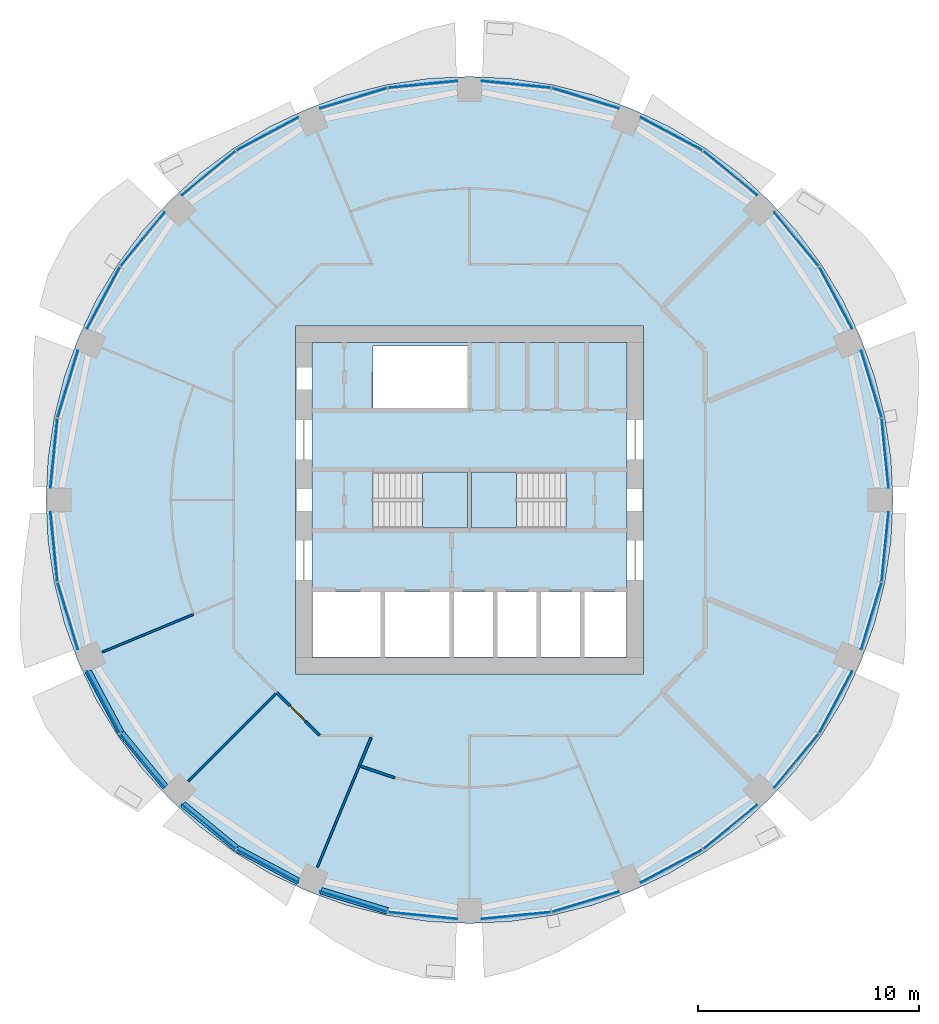
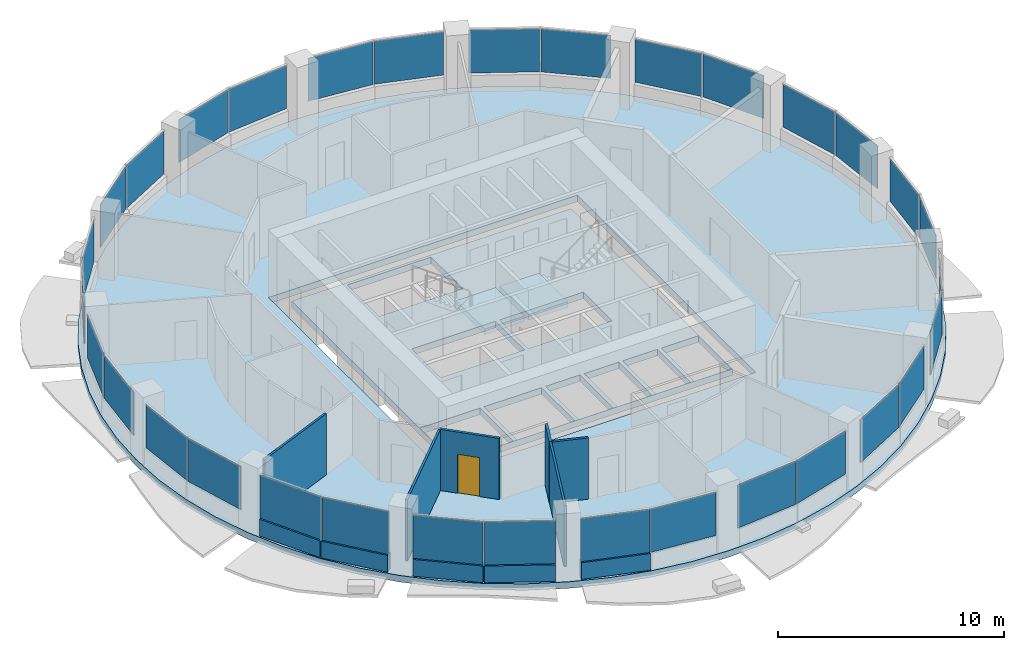
# One storey, part 6 of 14: 32 plates, 11 walls, 4 slabs, 1 door, 1 opening, 18 elements without a shape of their own.
"""IFC4 building model written with IfcOpenShell, lengths in metres."""

from ifc_helpers import new_model, si_unit, direction, frame, frame_2d, origin, origin_2d, place, context, subcontext, project, spatial, polyline, rectangle, outline, extrude, material, layer, layer_set, type_object, element, fill, aggregate, save


model = new_model("IFC4")

# Units and contexts
model_context = context("Model", 3, precision=1e-05, world=origin(), true_north=direction((0.0, 1.0)))
body_context = subcontext(model_context, "Body", "Model", "MODEL_VIEW")
ifc_project = project(units=[si_unit("LENGTHUNIT", "METRE"), si_unit("AREAUNIT", "SQUARE_METRE"), si_unit("VOLUMEUNIT", "CUBIC_METRE"), si_unit("PLANEANGLEUNIT", "RADIAN"), si_unit("MASSUNIT", "GRAM", prefix="KILO")], contexts=[model_context])

# Site, building, storey
site_placement = place(None, origin())
site = spatial("IfcSite", under=ifc_project, at=site_placement, CompositionType="ELEMENT")
building_placement = place(site_placement, origin())
building = spatial("IfcBuilding", under=site, at=building_placement, Name="Polderwave Tower", CompositionType="ELEMENT")
storey_placement = place(building_placement, frame((0.0, 0.0, 112.89990234375)))
storey = spatial("IfcBuildingStorey", under=building, at=storey_placement, Name="L29", CompositionType="ELEMENT", Elevation=112.89990234375)

# Slab
ifc_material_1 = material(Name="Concrete C40/50", Category="concrete")
ifc_layer_1 = layer(ifc_material_1, 0.35009765625)
ifc_layer_set_1 = layer_set([ifc_layer_1], Name="Core floor slab 350")
slab_type_1 = type_object("IfcSlabType", Name="Core floor slab 350", PredefinedType="FLOOR", material=ifc_layer_set_1)
slab_1_placement = place(storey_placement, frame((0.0, 0.0, -0.349853515625)))
element("IfcSlab", 1, at=slab_1_placement, inside=storey, type_object=slab_type_1, Name="L29 core floor", PredefinedType="FLOOR", context=body_context, shape_type="SweptSolid", body=[
    extrude(outline(polyline([(-7.1240234375, -7.1240234375), (7.1240234375, -7.1240234375), (7.1240234375, 7.1240234375), (-7.1240234375, 7.1240234375), (-7.1240234375, -7.1240234375)]), holes=[polyline([(-7.10400390625, -7.10400390625), (-4.037109375, -7.10400390625), (-4.037109375, -4.174072265625), (-7.10400390625, -4.174072265625), (-7.10400390625, -7.10400390625)]), polyline([(-3.8369140625, -7.10400390625), (-0.89990234375, -7.10400390625), (-0.89990234375, -4.174072265625), (-3.8369140625, -4.174072265625), (-3.8369140625, -7.10400390625)]), polyline([(-0.699951171875, -7.10400390625), (1.068603515625, -7.10400390625), (1.068603515625, -4.174072265625), (-0.699951171875, -4.174072265625), (-0.699951171875, -7.10400390625)]), polyline([(1.2685546875, -7.10400390625), (3.037109375, -7.10400390625), (3.037109375, -4.174072265625), (1.2685546875, -4.174072265625), (1.2685546875, -7.10400390625)]), polyline([(3.237060546875, -7.10400390625), (5.005615234375, -7.10400390625), (5.005615234375, -4.174072265625), (3.237060546875, -4.174072265625), (3.237060546875, -7.10400390625)]), polyline([(5.20556640625, -7.10400390625), (7.10400390625, -7.10400390625), (7.10400390625, -4.174072265625), (5.20556640625, -4.174072265625), (5.20556640625, -7.10400390625)]), polyline([(-4.37353515625, -1.2744140625), (-0.1005859375, -1.2744140625), (-0.1005859375, 1.2744140625), (-4.37353515625, 1.2744140625), (-4.37353515625, -1.2744140625)]), polyline([(0.1005859375, -1.2744140625), (4.37353515625, -1.2744140625), (4.37353515625, 1.2744140625), (0.1005859375, 1.2744140625), (0.1005859375, -1.2744140625)]), polyline([(-4.37353515625, 4.174560546875), (-0.1005859375, 4.174560546875), (-0.1005859375, 6.973388671875), (-4.37353515625, 6.973388671875), (-4.37353515625, 4.174560546875)])]), origin(), (0.0, 0.0, 1.0), 0.349853515625),
])

# Curtain wall, plates
ifc_material_2 = material(Name="Aluminium 6063-T6 and glass", Category="aluminium")
curtain_wall_type = type_object("IfcCurtainWallType", Name="Growing floor ribbon glazing wall", PredefinedType="NOTDEFINED", material=ifc_material_2)
curtain_wall_1_placement = place(storey_placement, origin())
curtain_wall_1 = element("IfcCurtainWall", 2, at=curtain_wall_1_placement, inside=storey, type_object=curtain_wall_type, Name="CW2 L29 00", PredefinedType="NOTDEFINED")
ifc_material_3 = material(Name="Glass, low-e laminated double glazing", Category="glass")
ifc_layer_2 = layer(ifc_material_3, 0.028076171875)
ifc_layer_set_2 = layer_set([ifc_layer_2], Name="Growing floor ribbon glazing glass panel 28 mm")
plate_type = type_object("IfcPlateType", Name="Growing floor ribbon glazing glass panel 28 mm", PredefinedType="CURTAIN_PANEL", material=ifc_layer_set_2)
plate_1_placement = place(storey_placement, frame((18.821533203125, 2.11669921875, 0.89990234375), z_axis=(0.0, 0.0, 1.0), x_axis=(-0.098164777877, 0.995170174585, 0.0)))
plate_1 = element("IfcPlate", 3, at=plate_1_placement, type_object=plate_type, Name="CW2 panel 1", PredefinedType="CURTAIN_PANEL", context=body_context, shape_type="SweptSolid", body=[
    extrude(rectangle(XDim=3.1484375, YDim=0.028076171875, at=origin_2d()), origin(), (0.0, 0.0, 1.0), 2.320068359375),
])
plate_2_placement = place(storey_placement, frame((18.198486328125, 5.247802734375, 0.89990234375), z_axis=(0.0, 0.0, 1.0), x_axis=(-0.290147719853, 0.956981870604, 0.0)))
plate_2 = element("IfcPlate", 4, at=plate_2_placement, type_object=plate_type, Name="CW2 panel 2", PredefinedType="CURTAIN_PANEL", context=body_context, shape_type="SweptSolid", body=[
    extrude(rectangle(XDim=3.147705078125, YDim=0.028076171875, at=origin_2d()), origin(), (0.0, 0.0, 1.0), 2.320068359375),
])
aggregate(curtain_wall_1, [plate_1, plate_2])

curtain_wall_2_placement = place(storey_placement, origin())
curtain_wall_2 = element("IfcCurtainWall", 5, at=curtain_wall_2_placement, inside=storey, type_object=curtain_wall_type, Name="CW2 L29 01", PredefinedType="NOTDEFINED")
plate_3_placement = place(storey_placement, frame((16.5791015625, 9.158203125, 0.89990234375), z_axis=(0.0, 0.0, 1.0), x_axis=(-0.471339783853, 0.881951703982, 0.0)))
plate_3 = element("IfcPlate", 6, at=plate_3_placement, type_object=plate_type, Name="CW2 panel 1", PredefinedType="CURTAIN_PANEL", context=body_context, shape_type="SweptSolid", body=[
    extrude(rectangle(XDim=3.148193359375, YDim=0.028076171875, at=origin_2d()), origin(), (0.0, 0.0, 1.0), 2.320068359375),
])
plate_4_placement = place(storey_placement, frame((14.805419921875, 11.8125, 0.89990234375), z_axis=(0.0, 0.0, 1.0), x_axis=(-0.634471532063, 0.772946230343, 0.0)))
plate_4 = element("IfcPlate", 7, at=plate_4_placement, type_object=plate_type, Name="CW2 panel 2", PredefinedType="CURTAIN_PANEL", context=body_context, shape_type="SweptSolid", body=[
    extrude(rectangle(XDim=3.1474609375, YDim=0.028076171875, at=origin_2d()), origin(), (0.0, 0.0, 1.0), 2.320068359375),
])
aggregate(curtain_wall_2, [plate_3, plate_4])

curtain_wall_3_placement = place(storey_placement, origin())
curtain_wall_3 = element("IfcCurtainWall", 8, at=curtain_wall_3_placement, inside=storey, type_object=curtain_wall_type, Name="CW2 L29 02", PredefinedType="NOTDEFINED")
plate_5_placement = place(storey_placement, frame((11.8125, 14.805419921875, 0.89990234375), z_axis=(0.0, 0.0, 1.0), x_axis=(-0.772946230343, 0.634471532063, 0.0)))
plate_5 = element("IfcPlate", 9, at=plate_5_placement, type_object=plate_type, Name="CW2 panel 1", PredefinedType="CURTAIN_PANEL", context=body_context, shape_type="SweptSolid", body=[
    extrude(rectangle(XDim=3.1474609375, YDim=0.028076171875, at=origin_2d()), origin(), (0.0, 0.0, 1.0), 2.320068359375),
])
plate_6_placement = place(storey_placement, frame((9.158203125, 16.5791015625, 0.89990234375), z_axis=(0.0, 0.0, 1.0), x_axis=(-0.881951703982, 0.471339783853, 0.0)))
plate_6 = element("IfcPlate", 10, at=plate_6_placement, type_object=plate_type, Name="CW2 panel 2", PredefinedType="CURTAIN_PANEL", context=body_context, shape_type="SweptSolid", body=[
    extrude(rectangle(XDim=3.148193359375, YDim=0.028076171875, at=origin_2d()), origin(), (0.0, 0.0, 1.0), 2.320068359375),
])
aggregate(curtain_wall_3, [plate_5, plate_6])

curtain_wall_4_placement = place(storey_placement, origin())
curtain_wall_4 = element("IfcCurtainWall", 11, at=curtain_wall_4_placement, inside=storey, type_object=curtain_wall_type, Name="CW2 L29 03", PredefinedType="NOTDEFINED")
plate_7_placement = place(storey_placement, frame((5.247802734375, 18.198486328125, 0.89990234375), z_axis=(0.0, 0.0, 1.0), x_axis=(-0.956981870604, 0.290147719853, 0.0)))
plate_7 = element("IfcPlate", 12, at=plate_7_placement, type_object=plate_type, Name="CW2 panel 1", PredefinedType="CURTAIN_PANEL", context=body_context, shape_type="SweptSolid", body=[
    extrude(rectangle(XDim=3.147705078125, YDim=0.028076171875, at=origin_2d()), origin(), (0.0, 0.0, 1.0), 2.320068359375),
])
plate_8_placement = place(storey_placement, frame((2.11669921875, 18.821533203125, 0.89990234375), z_axis=(0.0, 0.0, 1.0), x_axis=(-0.995170174585, 0.098164777877, 0.0)))
plate_8 = element("IfcPlate", 13, at=plate_8_placement, type_object=plate_type, Name="CW2 panel 2", PredefinedType="CURTAIN_PANEL", context=body_context, shape_type="SweptSolid", body=[
    extrude(rectangle(XDim=3.1484375, YDim=0.028076171875, at=origin_2d()), origin(), (0.0, 0.0, 1.0), 2.320068359375),
])
aggregate(curtain_wall_4, [plate_7, plate_8])

curtain_wall_5_placement = place(storey_placement, origin())
curtain_wall_5 = element("IfcCurtainWall", 14, at=curtain_wall_5_placement, inside=storey, type_object=curtain_wall_type, Name="CW2 L29 04", PredefinedType="NOTDEFINED")
plate_9_placement = place(storey_placement, frame((-2.11669921875, 18.821533203125, 0.89990234375), z_axis=(0.0, 0.0, 1.0), x_axis=(-0.995170174585, -0.098164777877, 0.0)))
plate_9 = element("IfcPlate", 15, at=plate_9_placement, type_object=plate_type, Name="CW2 panel 1", PredefinedType="CURTAIN_PANEL", context=body_context, shape_type="SweptSolid", body=[
    extrude(rectangle(XDim=3.1484375, YDim=0.028076171875, at=origin_2d()), origin(), (0.0, 0.0, 1.0), 2.320068359375),
])
plate_10_placement = place(storey_placement, frame((-5.247802734375, 18.198486328125, 0.89990234375), z_axis=(0.0, 0.0, 1.0), x_axis=(-0.956981870604, -0.290147719853, 0.0)))
plate_10 = element("IfcPlate", 16, at=plate_10_placement, type_object=plate_type, Name="CW2 panel 2", PredefinedType="CURTAIN_PANEL", context=body_context, shape_type="SweptSolid", body=[
    extrude(rectangle(XDim=3.147705078125, YDim=0.028076171875, at=origin_2d()), origin(), (0.0, 0.0, 1.0), 2.320068359375),
])
aggregate(curtain_wall_5, [plate_9, plate_10])

curtain_wall_6_placement = place(storey_placement, origin())
curtain_wall_6 = element("IfcCurtainWall", 17, at=curtain_wall_6_placement, inside=storey, type_object=curtain_wall_type, Name="CW2 L29 05", PredefinedType="NOTDEFINED")
plate_11_placement = place(storey_placement, frame((-9.158203125, 16.5791015625, 0.89990234375), z_axis=(0.0, 0.0, 1.0), x_axis=(-0.881951703982, -0.471339783853, 0.0)))
plate_11 = element("IfcPlate", 18, at=plate_11_placement, type_object=plate_type, Name="CW2 panel 1", PredefinedType="CURTAIN_PANEL", context=body_context, shape_type="SweptSolid", body=[
    extrude(rectangle(XDim=3.148193359375, YDim=0.028076171875, at=origin_2d()), origin(), (0.0, 0.0, 1.0), 2.320068359375),
])
plate_12_placement = place(storey_placement, frame((-11.8125, 14.805419921875, 0.89990234375), z_axis=(0.0, 0.0, 1.0), x_axis=(-0.772946230343, -0.634471532063, 0.0)))
plate_12 = element("IfcPlate", 19, at=plate_12_placement, type_object=plate_type, Name="CW2 panel 2", PredefinedType="CURTAIN_PANEL", context=body_context, shape_type="SweptSolid", body=[
    extrude(rectangle(XDim=3.1474609375, YDim=0.028076171875, at=origin_2d()), origin(), (0.0, 0.0, 1.0), 2.320068359375),
])
aggregate(curtain_wall_6, [plate_11, plate_12])

curtain_wall_7_placement = place(storey_placement, origin())
curtain_wall_7 = element("IfcCurtainWall", 20, at=curtain_wall_7_placement, inside=storey, type_object=curtain_wall_type, Name="CW2 L29 06", PredefinedType="NOTDEFINED")
plate_13_placement = place(storey_placement, frame((-14.805419921875, 11.8125, 0.89990234375), z_axis=(0.0, 0.0, 1.0), x_axis=(-0.634471532063, -0.772946230343, 0.0)))
plate_13 = element("IfcPlate", 21, at=plate_13_placement, type_object=plate_type, Name="CW2 panel 1", PredefinedType="CURTAIN_PANEL", context=body_context, shape_type="SweptSolid", body=[
    extrude(rectangle(XDim=3.1474609375, YDim=0.028076171875, at=origin_2d()), origin(), (0.0, 0.0, 1.0), 2.320068359375),
])
plate_14_placement = place(storey_placement, frame((-16.5791015625, 9.158203125, 0.89990234375), z_axis=(0.0, 0.0, 1.0), x_axis=(-0.471339783853, -0.881951703982, 0.0)))
plate_14 = element("IfcPlate", 22, at=plate_14_placement, type_object=plate_type, Name="CW2 panel 2", PredefinedType="CURTAIN_PANEL", context=body_context, shape_type="SweptSolid", body=[
    extrude(rectangle(XDim=3.148193359375, YDim=0.028076171875, at=origin_2d()), origin(), (0.0, 0.0, 1.0), 2.320068359375),
])
aggregate(curtain_wall_7, [plate_13, plate_14])

curtain_wall_8_placement = place(storey_placement, origin())
curtain_wall_8 = element("IfcCurtainWall", 23, at=curtain_wall_8_placement, inside=storey, type_object=curtain_wall_type, Name="CW2 L29 07", PredefinedType="NOTDEFINED")
plate_15_placement = place(storey_placement, frame((-18.198486328125, 5.247802734375, 0.89990234375), z_axis=(0.0, 0.0, 1.0), x_axis=(-0.290147719853, -0.956981870604, 0.0)))
plate_15 = element("IfcPlate", 24, at=plate_15_placement, type_object=plate_type, Name="CW2 panel 1", PredefinedType="CURTAIN_PANEL", context=body_context, shape_type="SweptSolid", body=[
    extrude(rectangle(XDim=3.147705078125, YDim=0.028076171875, at=origin_2d()), origin(), (0.0, 0.0, 1.0), 2.320068359375),
])
plate_16_placement = place(storey_placement, frame((-18.821533203125, 2.11669921875, 0.89990234375), z_axis=(0.0, 0.0, 1.0), x_axis=(-0.098164777877, -0.995170174585, 0.0)))
plate_16 = element("IfcPlate", 25, at=plate_16_placement, type_object=plate_type, Name="CW2 panel 2", PredefinedType="CURTAIN_PANEL", context=body_context, shape_type="SweptSolid", body=[
    extrude(rectangle(XDim=3.1484375, YDim=0.028076171875, at=origin_2d()), origin(), (0.0, 0.0, 1.0), 2.320068359375),
])
aggregate(curtain_wall_8, [plate_15, plate_16])

curtain_wall_9_placement = place(storey_placement, origin())
curtain_wall_9 = element("IfcCurtainWall", 26, at=curtain_wall_9_placement, inside=storey, type_object=curtain_wall_type, Name="CW2 L29 08", PredefinedType="NOTDEFINED")
plate_17_placement = place(storey_placement, frame((-18.821533203125, -2.11669921875, 0.89990234375), z_axis=(0.0, 0.0, 1.0), x_axis=(0.098164777877, -0.995170174585, 0.0)))
plate_17 = element("IfcPlate", 27, at=plate_17_placement, type_object=plate_type, Name="CW2 panel 1", PredefinedType="CURTAIN_PANEL", context=body_context, shape_type="SweptSolid", body=[
    extrude(rectangle(XDim=3.1484375, YDim=0.028076171875, at=origin_2d()), origin(), (0.0, 0.0, 1.0), 2.320068359375),
])
plate_18_placement = place(storey_placement, frame((-18.198486328125, -5.247802734375, 0.89990234375), z_axis=(0.0, 0.0, 1.0), x_axis=(0.290147719853, -0.956981870604, 0.0)))
plate_18 = element("IfcPlate", 28, at=plate_18_placement, type_object=plate_type, Name="CW2 panel 2", PredefinedType="CURTAIN_PANEL", context=body_context, shape_type="SweptSolid", body=[
    extrude(rectangle(XDim=3.147705078125, YDim=0.028076171875, at=origin_2d()), origin(), (0.0, 0.0, 1.0), 2.320068359375),
])
aggregate(curtain_wall_9, [plate_17, plate_18])

curtain_wall_10_placement = place(storey_placement, origin())
curtain_wall_10 = element("IfcCurtainWall", 29, at=curtain_wall_10_placement, inside=storey, type_object=curtain_wall_type, Name="CW2 L29 09", PredefinedType="NOTDEFINED")
plate_19_placement = place(storey_placement, frame((-16.5791015625, -9.158203125, 0.89990234375), z_axis=(0.0, 0.0, 1.0), x_axis=(0.471339783853, -0.881951703982, 0.0)))
plate_19 = element("IfcPlate", 30, at=plate_19_placement, type_object=plate_type, Name="CW2 panel 1", PredefinedType="CURTAIN_PANEL", context=body_context, shape_type="SweptSolid", body=[
    extrude(rectangle(XDim=3.148193359375, YDim=0.028076171875, at=origin_2d()), origin(), (0.0, 0.0, 1.0), 2.320068359375),
])
plate_20_placement = place(storey_placement, frame((-14.805419921875, -11.8125, 0.89990234375), z_axis=(0.0, 0.0, 1.0), x_axis=(0.634471532063, -0.772946230343, 0.0)))
plate_20 = element("IfcPlate", 31, at=plate_20_placement, type_object=plate_type, Name="CW2 panel 2", PredefinedType="CURTAIN_PANEL", context=body_context, shape_type="SweptSolid", body=[
    extrude(rectangle(XDim=3.1474609375, YDim=0.028076171875, at=origin_2d()), origin(), (0.0, 0.0, 1.0), 2.320068359375),
])
aggregate(curtain_wall_10, [plate_19, plate_20])

curtain_wall_11_placement = place(storey_placement, origin())
curtain_wall_11 = element("IfcCurtainWall", 32, at=curtain_wall_11_placement, inside=storey, type_object=curtain_wall_type, Name="CW2 L29 10", PredefinedType="NOTDEFINED")
plate_21_placement = place(storey_placement, frame((-11.8125, -14.805419921875, 0.89990234375), z_axis=(0.0, 0.0, 1.0), x_axis=(0.772946230343, -0.634471532063, 0.0)))
plate_21 = element("IfcPlate", 33, at=plate_21_placement, type_object=plate_type, Name="CW2 panel 1", PredefinedType="CURTAIN_PANEL", context=body_context, shape_type="SweptSolid", body=[
    extrude(rectangle(XDim=3.1474609375, YDim=0.028076171875, at=origin_2d()), origin(), (0.0, 0.0, 1.0), 2.320068359375),
])
plate_22_placement = place(storey_placement, frame((-9.158203125, -16.5791015625, 0.89990234375), z_axis=(0.0, 0.0, 1.0), x_axis=(0.881951703982, -0.471339783853, 0.0)))
plate_22 = element("IfcPlate", 34, at=plate_22_placement, type_object=plate_type, Name="CW2 panel 2", PredefinedType="CURTAIN_PANEL", context=body_context, shape_type="SweptSolid", body=[
    extrude(rectangle(XDim=3.148193359375, YDim=0.028076171875, at=origin_2d()), origin(), (0.0, 0.0, 1.0), 2.320068359375),
])
aggregate(curtain_wall_11, [plate_21, plate_22])

curtain_wall_12_placement = place(storey_placement, origin())
curtain_wall_12 = element("IfcCurtainWall", 35, at=curtain_wall_12_placement, inside=storey, type_object=curtain_wall_type, Name="CW2 L29 11", PredefinedType="NOTDEFINED")
plate_23_placement = place(storey_placement, frame((-5.247802734375, -18.198486328125, 0.89990234375), z_axis=(0.0, 0.0, 1.0), x_axis=(0.956981870604, -0.290147719853, 0.0)))
plate_23 = element("IfcPlate", 36, at=plate_23_placement, type_object=plate_type, Name="CW2 panel 1", PredefinedType="CURTAIN_PANEL", context=body_context, shape_type="SweptSolid", body=[
    extrude(rectangle(XDim=3.147705078125, YDim=0.028076171875, at=origin_2d()), origin(), (0.0, 0.0, 1.0), 2.320068359375),
])
plate_24_placement = place(storey_placement, frame((-2.11669921875, -18.821533203125, 0.89990234375), z_axis=(0.0, 0.0, 1.0), x_axis=(0.995170174585, -0.098164777877, 0.0)))
plate_24 = element("IfcPlate", 37, at=plate_24_placement, type_object=plate_type, Name="CW2 panel 2", PredefinedType="CURTAIN_PANEL", context=body_context, shape_type="SweptSolid", body=[
    extrude(rectangle(XDim=3.1484375, YDim=0.028076171875, at=origin_2d()), origin(), (0.0, 0.0, 1.0), 2.320068359375),
])
aggregate(curtain_wall_12, [plate_23, plate_24])

curtain_wall_13_placement = place(storey_placement, origin())
curtain_wall_13 = element("IfcCurtainWall", 38, at=curtain_wall_13_placement, inside=storey, type_object=curtain_wall_type, Name="CW2 L29 12", PredefinedType="NOTDEFINED")
plate_25_placement = place(storey_placement, frame((2.11669921875, -18.821533203125, 0.89990234375), z_axis=(0.0, 0.0, 1.0), x_axis=(0.995170174585, 0.098164777877, 0.0)))
plate_25 = element("IfcPlate", 39, at=plate_25_placement, type_object=plate_type, Name="CW2 panel 1", PredefinedType="CURTAIN_PANEL", context=body_context, shape_type="SweptSolid", body=[
    extrude(rectangle(XDim=3.1484375, YDim=0.028076171875, at=origin_2d()), origin(), (0.0, 0.0, 1.0), 2.320068359375),
])
plate_26_placement = place(storey_placement, frame((5.247802734375, -18.198486328125, 0.89990234375), z_axis=(0.0, 0.0, 1.0), x_axis=(0.956981870604, 0.290147719853, 0.0)))
plate_26 = element("IfcPlate", 40, at=plate_26_placement, type_object=plate_type, Name="CW2 panel 2", PredefinedType="CURTAIN_PANEL", context=body_context, shape_type="SweptSolid", body=[
    extrude(rectangle(XDim=3.147705078125, YDim=0.028076171875, at=origin_2d()), origin(), (0.0, 0.0, 1.0), 2.320068359375),
])
aggregate(curtain_wall_13, [plate_25, plate_26])

curtain_wall_14_placement = place(storey_placement, origin())
curtain_wall_14 = element("IfcCurtainWall", 41, at=curtain_wall_14_placement, inside=storey, type_object=curtain_wall_type, Name="CW2 L29 13", PredefinedType="NOTDEFINED")
plate_27_placement = place(storey_placement, frame((9.158203125, -16.5791015625, 0.89990234375), z_axis=(0.0, 0.0, 1.0), x_axis=(0.881951703982, 0.471339783853, 0.0)))
plate_27 = element("IfcPlate", 42, at=plate_27_placement, type_object=plate_type, Name="CW2 panel 1", PredefinedType="CURTAIN_PANEL", context=body_context, shape_type="SweptSolid", body=[
    extrude(rectangle(XDim=3.148193359375, YDim=0.028076171875, at=origin_2d()), origin(), (0.0, 0.0, 1.0), 2.320068359375),
])
plate_28_placement = place(storey_placement, frame((11.8125, -14.805419921875, 0.89990234375), z_axis=(0.0, 0.0, 1.0), x_axis=(0.772946230343, 0.634471532063, 0.0)))
plate_28 = element("IfcPlate", 43, at=plate_28_placement, type_object=plate_type, Name="CW2 panel 2", PredefinedType="CURTAIN_PANEL", context=body_context, shape_type="SweptSolid", body=[
    extrude(rectangle(XDim=3.1474609375, YDim=0.028076171875, at=origin_2d()), origin(), (0.0, 0.0, 1.0), 2.320068359375),
])
aggregate(curtain_wall_14, [plate_27, plate_28])

curtain_wall_15_placement = place(storey_placement, origin())
curtain_wall_15 = element("IfcCurtainWall", 44, at=curtain_wall_15_placement, inside=storey, type_object=curtain_wall_type, Name="CW2 L29 14", PredefinedType="NOTDEFINED")
plate_29_placement = place(storey_placement, frame((14.805419921875, -11.8125, 0.89990234375), z_axis=(0.0, 0.0, 1.0), x_axis=(0.634471532063, 0.772946230343, 0.0)))
plate_29 = element("IfcPlate", 45, at=plate_29_placement, type_object=plate_type, Name="CW2 panel 1", PredefinedType="CURTAIN_PANEL", context=body_context, shape_type="SweptSolid", body=[
    extrude(rectangle(XDim=3.1474609375, YDim=0.028076171875, at=origin_2d()), origin(), (0.0, 0.0, 1.0), 2.320068359375),
])
plate_30_placement = place(storey_placement, frame((16.5791015625, -9.158203125, 0.89990234375), z_axis=(0.0, 0.0, 1.0), x_axis=(0.471339783853, 0.881951703982, 0.0)))
plate_30 = element("IfcPlate", 46, at=plate_30_placement, type_object=plate_type, Name="CW2 panel 2", PredefinedType="CURTAIN_PANEL", context=body_context, shape_type="SweptSolid", body=[
    extrude(rectangle(XDim=3.148193359375, YDim=0.028076171875, at=origin_2d()), origin(), (0.0, 0.0, 1.0), 2.320068359375),
])
aggregate(curtain_wall_15, [plate_29, plate_30])

curtain_wall_16_placement = place(storey_placement, origin())
curtain_wall_16 = element("IfcCurtainWall", 47, at=curtain_wall_16_placement, inside=storey, type_object=curtain_wall_type, Name="CW2 L29 15", PredefinedType="NOTDEFINED")
plate_31_placement = place(storey_placement, frame((18.198486328125, -5.247802734375, 0.89990234375), z_axis=(0.0, 0.0, 1.0), x_axis=(0.290147719853, 0.956981870604, 0.0)))
plate_31 = element("IfcPlate", 48, at=plate_31_placement, type_object=plate_type, Name="CW2 panel 1", PredefinedType="CURTAIN_PANEL", context=body_context, shape_type="SweptSolid", body=[
    extrude(rectangle(XDim=3.147705078125, YDim=0.028076171875, at=origin_2d()), origin(), (0.0, 0.0, 1.0), 2.320068359375),
])
plate_32_placement = place(storey_placement, frame((18.821533203125, -2.11669921875, 0.89990234375), z_axis=(0.0, 0.0, 1.0), x_axis=(0.098164777877, 0.995170174585, 0.0)))
plate_32 = element("IfcPlate", 49, at=plate_32_placement, type_object=plate_type, Name="CW2 panel 2", PredefinedType="CURTAIN_PANEL", context=body_context, shape_type="SweptSolid", body=[
    extrude(rectangle(XDim=3.1484375, YDim=0.028076171875, at=origin_2d()), origin(), (0.0, 0.0, 1.0), 2.320068359375),
])
aggregate(curtain_wall_16, [plate_31, plate_32])

# Slab
ifc_layer_3 = layer(ifc_material_1, 0.35009765625)
ifc_layer_set_3 = layer_set([ifc_layer_3], Name="PT FLOOR SLAB 350 C40/50")
slab_type_2 = type_object("IfcSlabType", Name="PT FLOOR SLAB 350 C40/50", PredefinedType="FLOOR", material=ifc_layer_set_3)
slab_2_placement = place(storey_placement, frame((0.0, 0.0, -0.349853515625)))
element("IfcSlab", 50, at=slab_2_placement, inside=storey, type_object=slab_type_2, Name="ST-SLAB-L29", PredefinedType="FLOOR", context=body_context, shape_type="SweptSolid", body=[
    extrude(outline(polyline([(19.179931640625, 0.0), (19.087646484375, 1.8798828125), (18.8115234375, 3.74169921875), (18.35400390625, 5.567626953125), (17.719970703125, 7.33984375), (16.915283203125, 9.04150390625), (15.947509765625, 10.65576171875), (14.826416015625, 12.167724609375), (13.562255859375, 13.562255859375), (12.167724609375, 14.826416015625), (10.65576171875, 15.947509765625), (9.04150390625, 16.915283203125), (7.33984375, 17.719970703125), (5.567626953125, 18.35400390625), (3.74169921875, 18.8115234375), (1.8798828125, 19.087646484375), (0.0, 19.179931640625), (-1.8798828125, 19.087646484375), (-3.74169921875, 18.8115234375), (-5.567626953125, 18.35400390625), (-7.33984375, 17.719970703125), (-9.04150390625, 16.915283203125), (-10.65576171875, 15.947509765625), (-12.167724609375, 14.826416015625), (-13.562255859375, 13.562255859375), (-14.826416015625, 12.167724609375), (-15.947509765625, 10.65576171875), (-16.915283203125, 9.04150390625), (-17.719970703125, 7.33984375), (-18.35400390625, 5.567626953125), (-18.8115234375, 3.74169921875), (-19.087646484375, 1.8798828125), (-19.179931640625, 0.0), (-19.087646484375, -1.8798828125), (-18.8115234375, -3.74169921875), (-18.35400390625, -5.567626953125), (-17.719970703125, -7.33984375), (-16.915283203125, -9.04150390625), (-15.947509765625, -10.65576171875), (-14.826416015625, -12.167724609375), (-13.562255859375, -13.562255859375), (-12.167724609375, -14.826416015625), (-10.65576171875, -15.947509765625), (-9.04150390625, -16.915283203125), (-7.33984375, -17.719970703125), (-5.567626953125, -18.35400390625), (-3.74169921875, -18.8115234375), (-1.8798828125, -19.087646484375), (0.0, -19.179931640625), (1.8798828125, -19.087646484375), (3.74169921875, -18.8115234375), (5.567626953125, -18.35400390625), (7.33984375, -17.719970703125), (9.04150390625, -16.915283203125), (10.65576171875, -15.947509765625), (12.167724609375, -14.826416015625), (13.562255859375, -13.562255859375), (14.826416015625, -12.167724609375), (15.947509765625, -10.65576171875), (16.915283203125, -9.04150390625), (17.719970703125, -7.33984375), (18.35400390625, -5.567626953125), (18.8115234375, -3.74169921875), (19.087646484375, -1.8798828125), (19.179931640625, 0.0)]), holes=[polyline([(-7.8740234375, -7.8740234375), (7.8740234375, -7.8740234375), (7.8740234375, 7.8740234375), (-7.8740234375, 7.8740234375), (-7.8740234375, -7.8740234375)])]), origin(), (0.0, 0.0, 1.0), 0.349853515625),
])

# Stair, slab
stair_type = type_object("IfcStairType", Name="Exit stair 1200 x 20 risers", PredefinedType="HALF_TURN_STAIR", material=ifc_material_1)
stair_1_placement = place(storey_placement, origin())
stair_1 = element("IfcStair", 51, at=stair_1_placement, inside=storey, type_object=stair_type, Name="L29 Exit stair A", PredefinedType="HALF_TURN_STAIR")
ifc_layer_4 = layer(ifc_material_1, 0.300048828125)
ifc_layer_set_4 = layer_set([ifc_layer_4], Name="Stair landing 300")
slab_type_3 = type_object("IfcSlabType", Name="Stair landing 300", PredefinedType="LANDING", material=ifc_layer_set_4)
slab_3_placement = place(storey_placement, frame((0.0, 0.0, 1.525146484375)))
slab_3 = element("IfcSlab", 52, at=slab_3_placement, type_object=slab_type_3, Name="ST-A landing 1", PredefinedType="LANDING", context=body_context, shape_type="SweptSolid", body=[
    extrude(outline(polyline([(-2.1240234375, -1.27490234375), (-0.10009765625, -1.27490234375), (-0.10009765625, 1.27490234375), (-2.1240234375, 1.27490234375), (-2.1240234375, -1.27490234375)])), origin(), (0.0, 0.0, 1.0), 0.300048828125),
])
aggregate(stair_1, [slab_3])

stair_2_placement = place(storey_placement, origin())
stair_2 = element("IfcStair", 53, at=stair_2_placement, inside=storey, type_object=stair_type, Name="L29 Exit stair B", PredefinedType="HALF_TURN_STAIR")
slab_4_placement = place(storey_placement, frame((0.0, 0.0, 1.525146484375)))
slab_4 = element("IfcSlab", 54, at=slab_4_placement, type_object=slab_type_3, Name="ST-B landing 1", PredefinedType="LANDING", context=body_context, shape_type="SweptSolid", body=[
    extrude(outline(polyline([(2.1240234375, 1.27490234375), (0.10009765625, 1.27490234375), (0.10009765625, -1.27490234375), (2.1240234375, -1.27490234375), (2.1240234375, 1.27490234375)])), origin(), (0.0, 0.0, 1.0), 0.300048828125),
])
aggregate(stair_2, [slab_4])

# Walls
ifc_material_4 = material(Name="Concrete C50/60 (board-marked)", Category="concrete")
ifc_layer_5 = layer(ifc_material_4, 0.300048828125)
ifc_layer_set_5 = layer_set([ifc_layer_5], Name="Concrete spandrel upstand C50/60")
wall_type_1 = type_object("IfcWallType", Name="Concrete spandrel upstand C50/60", PredefinedType="SOLIDWALL", material=ifc_layer_set_5)
wall_1_placement = place(storey_placement, frame((-17.267822265625, -7.76318359375, 0.0), z_axis=(0.0, 0.0, 1.0), x_axis=(0.471375185282, -0.88193278355, 0.0)))
element("IfcWall", 55, at=wall_1_placement, inside=storey, type_object=wall_type_1, Name="Spandrel L29 10a", PredefinedType="SOLIDWALL", context=body_context, shape_type="SweptSolid", body=[
    extrude(rectangle(XDim=3.13916015625, YDim=0.300048828125, at=frame_2d((1.569580078125, 0.0))), origin(), (0.0, 0.0, 1.0), 0.900146484375),
])
for number, where, z_axis, x_axis, name in (
    (56, (-15.771484375, -10.556640625, 0.0), (0.0, 0.0, 1.0), (0.634274895162, -0.773107597536, 0.0), "Spandrel L29 10b"),
    (57, (-12.9833984375, -13.780517578125, 0.0), (0.0, 0.0, 1.0), (0.773107597536, -0.634274895162, 0.0), "Spandrel L29 11a"),
):
    element("IfcWall", number, at=place(storey_placement, frame(where, z_axis=z_axis, x_axis=x_axis)), inside=storey, type_object=wall_type_1, Name=name, PredefinedType="SOLIDWALL", context=body_context, shape_type="SweptSolid", body=[
        extrude(rectangle(XDim=3.138916015625, YDim=0.300048828125, at=frame_2d((1.5693359375, 0.0))), origin(), (0.0, 0.0, 1.0), 0.900146484375),
    ])
wall_2_placement = place(storey_placement, frame((-10.53173828125, -15.7880859375, 0.0), z_axis=(0.0, 0.0, 1.0), x_axis=(0.88193278355, -0.471375185282, 0.0)))
element("IfcWall", 58, at=wall_2_placement, inside=storey, type_object=wall_type_1, Name="Spandrel L29 11b", PredefinedType="SOLIDWALL", context=body_context, shape_type="SweptSolid", body=[
    extrude(rectangle(XDim=3.13916015625, YDim=0.300048828125, at=frame_2d((1.569580078125, 0.0))), origin(), (0.0, 0.0, 1.0), 0.900146484375),
])
wall_3_placement = place(storey_placement, frame((-6.7216796875, -17.699462890625, 0.0), z_axis=(0.0, 0.0, 1.0), x_axis=(0.956961595403, -0.290214584271, 0.0)))
element("IfcWall", 59, at=wall_3_placement, inside=storey, type_object=wall_type_1, Name="Spandrel L29 12a", PredefinedType="SOLIDWALL", context=body_context, shape_type="SweptSolid", body=[
    extrude(rectangle(XDim=3.139404296875, YDim=0.300048828125, at=frame_2d((1.56982421875, 0.0))), origin(), (0.0, 0.0, 1.0), 0.900146484375),
])

# Wall, opening, door
ifc_material_5 = material(Name="Fire-resisting board on steel studs", Category="steel")
ifc_layer_6 = layer(ifc_material_5, 0.125)
ifc_layer_set_6 = layer_set([ifc_layer_6], Name="Corridor wall 125 mm EI 60")
wall_type_2 = type_object("IfcWallType", Name="Corridor wall 125 mm EI 60", PredefinedType="PARTITIONING", material=ifc_layer_set_6)
wall_4_placement = place(storey_placement, frame((-6.789306640625, -10.65576171875, 0.0), z_axis=(0.0, 0.0, 1.0), x_axis=(-0.707062130741, 0.707151428813, 0.0)))
wall_4 = element("IfcWall", 60, at=wall_4_placement, inside=storey, type_object=wall_type_2, Name="IN-L29-W017", PredefinedType="PARTITIONING", context=body_context, shape_type="SweptSolid", body=[
    extrude(rectangle(XDim=2.73388671875, YDim=0.125, at=frame_2d((1.366943359375, 0.0))), origin(), (0.0, 0.0, 1.0), 3.300048828125),
])
opening_placement = place(wall_4_placement, frame((0.89990234375, 0.0, 0.0)))
opening = element("IfcOpeningElement", 61, at=opening_placement, cuts=wall_4, Name="Opening L29-D60", PredefinedType="OPENING", context=body_context, shape_type="SweptSolid", body=[
    extrude(rectangle(XDim=1.0, YDim=2.10009765625, at=frame_2d((0.5, 1.050048828125))), frame((0.0, 0.072509765625, 0.0), z_axis=(0.0, -1.0, 0.0), x_axis=(1.0, 0.0, 0.0)), (0.0, 0.0, 1.0), 0.14501953125),
])
ifc_material_6 = material(Name="Timber fire door leaf", Category="wood")
door_type = type_object("IfcDoorType", Name="Fire door FD30S 1000 x 2100", OperationType="NOTDEFINED", PredefinedType="DOOR", material=ifc_material_6)
door_placement = place(opening_placement, origin())
door = element("IfcDoor", 62, at=door_placement, inside=storey, type_object=door_type, Name="Door L29-D60", OperationType="SINGLE_SWING_RIGHT", OverallHeight=2.10009765625, OverallWidth=1.0, PredefinedType="DOOR", context=body_context, shape_type="SweptSolid", body=[
    extrude(rectangle(XDim=1.0, YDim=2.10009765625, at=frame_2d((0.5, 1.050048828125))), frame((0.0, 0.02490234375, 0.0), z_axis=(0.0, -1.0, 0.0), x_axis=(1.0, 0.0, 0.0)), (0.0, 0.0, 1.0), 0.050048828125),
])
fill(opening, door)

# Walls
wall_5_placement = place(storey_placement, frame((-4.45703125, -10.760498046875, 0.0), z_axis=(0.0, 0.0, 1.0), x_axis=(-0.382746785562, -0.923853288213, 0.0)))
element("IfcWall", 63, at=wall_5_placement, inside=storey, type_object=wall_type_2, Name="IN-L29-W049", PredefinedType="PARTITIONING", context=body_context, shape_type="SweptSolid", body=[
    extrude(rectangle(XDim=1.3828125, YDim=0.125, at=frame_2d((0.69140625, 0.0))), origin(), (0.0, 0.0, 1.0), 3.300048828125),
])
wall_6_placement = place(storey_placement, frame((-3.376220703125, -12.584716796875, 0.0), z_axis=(0.0, 0.0, 1.0), x_axis=(-0.946920220616, 0.321468654442, 0.0)))
element("IfcWall", 64, at=wall_6_placement, inside=storey, type_object=wall_type_2, Name="IN-L29-W051", PredefinedType="PARTITIONING", context=body_context, shape_type="SweptSolid", body=[
    extrude(rectangle(XDim=1.633544921875, YDim=0.125, at=frame_2d((0.81689453125, 0.0))), origin(), (0.0, 0.0, 1.0), 3.300048828125),
])
ifc_material_7 = material(Name="Moisture-resistant board on steel studs, tiled", Category="steel")
ifc_layer_7 = layer(ifc_material_7, 0.10498046875)
ifc_layer_set_7 = layer_set([ifc_layer_7], Name="Partition 105 mm wet room board and tile")
wall_type_3 = type_object("IfcWallType", Name="Partition 105 mm wet room board and tile", PredefinedType="PARTITIONING", material=ifc_layer_set_7)
wall_7_placement = place(storey_placement, frame((-12.5, -5.177734375, 0.0), z_axis=(0.0, 0.0, 1.0), x_axis=(-0.923895686767, -0.382644430213, 0.0)))
element("IfcWall", 65, at=wall_7_placement, inside=storey, type_object=wall_type_3, Name="IN-L29-W046", PredefinedType="PARTITIONING", context=body_context, shape_type="SweptSolid", body=[
    extrude(rectangle(XDim=4.469970703125, YDim=0.10498046875, at=frame_2d((2.23486328125, 0.0))), origin(), (0.0, 0.0, 1.0), 3.300048828125),
])
wall_8_placement = place(storey_placement, frame((-12.727783203125, -12.727783203125, 0.0), z_axis=(0.0, 0.0, 1.0), x_axis=(0.707106781187, 0.707106781187, 0.0)))
element("IfcWall", 66, at=wall_8_placement, inside=storey, type_object=wall_type_3, Name="IN-L29-W048", PredefinedType="PARTITIONING", context=body_context, shape_type="SweptSolid", body=[
    extrude(rectangle(XDim=5.60205078125, YDim=0.10498046875, at=frame_2d((2.801025390625, 0.0))), origin(), (0.0, 0.0, 1.0), 3.300048828125),
])
wall_9_placement = place(storey_placement, frame((-4.986328125, -12.0380859375, 0.0), z_axis=(0.0, 0.0, 1.0), x_axis=(-0.38266126553, -0.923888714003, 0.0)))
element("IfcWall", 67, at=wall_9_placement, inside=storey, type_object=wall_type_3, Name="IN-L29-W050", PredefinedType="PARTITIONING", context=body_context, shape_type="SweptSolid", body=[
    extrude(rectangle(XDim=4.969970703125, YDim=0.10498046875, at=frame_2d((2.48486328125, 0.0))), origin(), (0.0, 0.0, 1.0), 3.300048828125),
])

save(model, "model.ifc")
